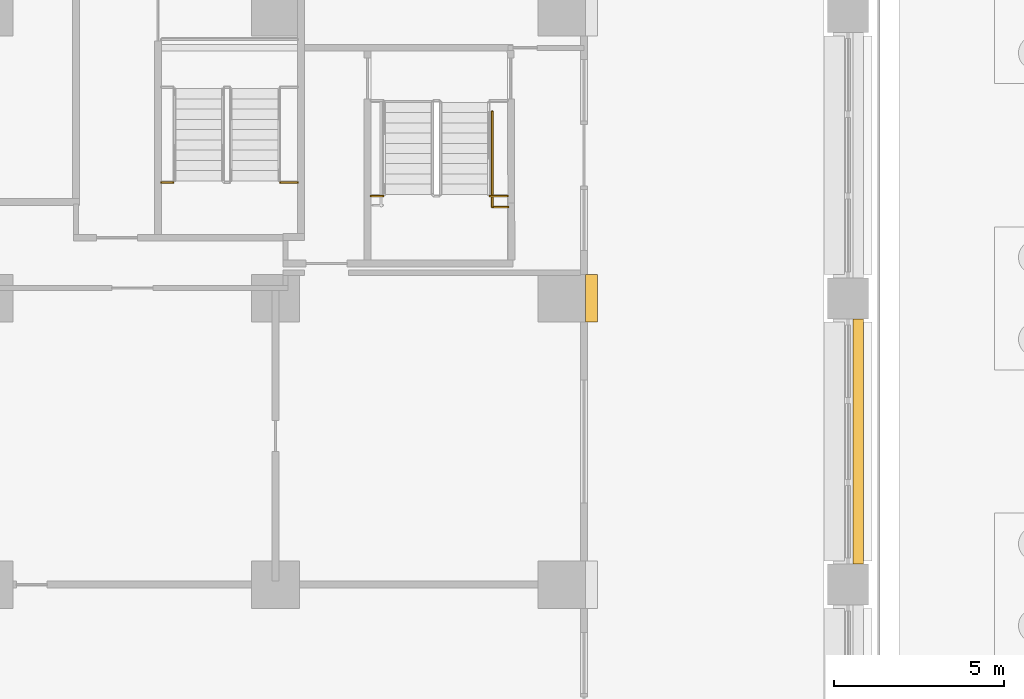
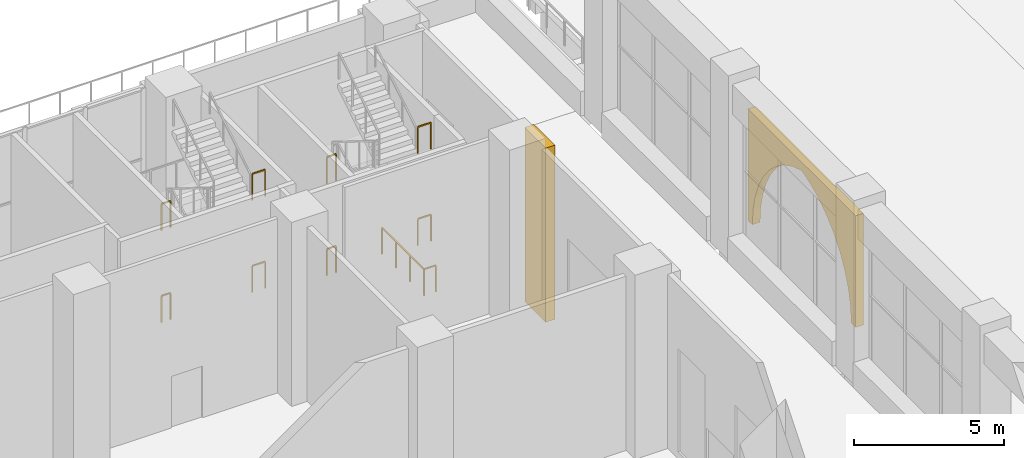
# One storey, part 49 of 53: 9 railings, 2 coverings.
"""IFC4 building model written with IfcOpenShell, lengths in metres."""

import ifcopenshell
import ifcopenshell.guid

model = None  # the IFC model being written
_history = None  # IfcOwnerHistory: only IFC2X3 demands one
_inside = {}  # id of a spatial element -> (the spatial element, [elements in it])
_under = {}  # id of a project, library or spatial element -> (it, [spatial elements below it])
_declared = {}  # id of a project -> (the project, [libraries it declares])
_typed = {}  # id of a type object -> (the type object, [elements of that type])
_made_of = {}  # id of a material, layer set ... -> (it, [elements and type objects made of it])


def new_model(schema):
    """Start an empty IFC model of exactly this schema.

    Asked for "IFC4X3", IfcOpenShell would pick the latest addendum, in which some entities
    have other attributes; the version numbers below select the first issue.
    IFC2X3 requires an IfcOwnerHistory on every rooted entity: one is made here for all.
    """
    global model, _history
    if schema == "IFC4X3":
        model = ifcopenshell.file(schema_version=(4, 3, 0, 0))
    else:
        model = ifcopenshell.file(schema=schema)
    _inside.clear()
    _under.clear()
    _declared.clear()
    _typed.clear()
    _made_of.clear()
    _history = None
    if model.schema == "IFC2X3":
        org = make("IfcOrganization", Name="unknown")
        user = make(
            "IfcPersonAndOrganization",
            ThePerson=make("IfcPerson", FamilyName="unknown"),
            TheOrganization=org,
        )
        app = make(
            "IfcApplication",
            ApplicationDeveloper=org,
            Version="unknown",
            ApplicationFullName="unknown",
            ApplicationIdentifier="unknown",
        )
        _history = make(
            "IfcOwnerHistory",
            OwningUser=user,
            OwningApplication=app,
            ChangeAction="ADDED",
            CreationDate=0,
        )
    return model


def make(cls, **values):
    """One entity of the class cls with the attributes given. An attribute that is None is left unset."""
    return model.create_entity(
        cls, **{name: value for name, value in values.items() if value is not None}
    )


def rooted(cls, **values):
    """An entity with a GlobalId (a new one), such as an element, a storey or a relation."""
    return make(cls, GlobalId=ifcopenshell.guid.new(), OwnerHistory=_history, **values)


def si_unit(unit_type, name, prefix=None):
    """IfcSIUnit, for example si_unit("LENGTHUNIT", "METRE", prefix="MILLI")."""
    return make("IfcSIUnit", UnitType=unit_type, Prefix=prefix, Name=name)


def assignment(units):
    """IfcUnitAssignment: the units of a project."""
    return None if units is None else make("IfcUnitAssignment", Units=units)


def point(xyz):
    """IfcCartesianPoint."""
    return None if xyz is None else make("IfcCartesianPoint", Coordinates=xyz)


def direction(xyz):
    """IfcDirection."""
    return None if xyz is None else make("IfcDirection", DirectionRatios=xyz)


def frame(location, z_axis=None, x_axis=None):
    """IfcAxis2Placement3D, a coordinate frame: its origin and axes. An axis left out is left unset."""
    return make(
        "IfcAxis2Placement3D",
        Location=point(location),
        Axis=direction(z_axis),
        RefDirection=direction(x_axis),
    )


def frame_2d(location, x_axis=None):
    """IfcAxis2Placement2D, a coordinate frame in the plane: its origin and x axis."""
    return make(
        "IfcAxis2Placement2D", Location=point(location), RefDirection=direction(x_axis)
    )


def origin():
    """The frame at (0, 0, 0) with its axes left unset."""
    return frame((0.0, 0.0, 0.0))


def origin_2d():
    """The frame at (0, 0) in the plane with its x axis left unset."""
    return frame_2d((0.0, 0.0))


def place(relative_to, where):
    """IfcLocalPlacement: puts the frame where relative to a parent placement (None: the world)."""
    return make(
        "IfcLocalPlacement", PlacementRelTo=relative_to, RelativePlacement=where
    )


def context(
    kind, dimensions, precision=None, world=None, true_north=None, identifier=None
):
    """IfcGeometricRepresentationContext, for example the 3D "Model" context."""
    return make(
        "IfcGeometricRepresentationContext",
        ContextIdentifier=identifier,
        ContextType=kind,
        CoordinateSpaceDimension=dimensions,
        Precision=precision,
        WorldCoordinateSystem=world,
        TrueNorth=true_north,
    )


def subcontext(parent, identifier, kind, view, scale=None):
    """IfcGeometricRepresentationSubContext, for example "Body" below "Model"."""
    return make(
        "IfcGeometricRepresentationSubContext",
        ContextIdentifier=identifier,
        ContextType=kind,
        ParentContext=parent,
        TargetScale=scale,
        TargetView=view,
    )


def project(units=None, contexts=None):
    """IfcProject with its units and contexts."""
    return rooted(
        "IfcProject",
        Name="project",
        RepresentationContexts=contexts,
        UnitsInContext=assignment(units),
    )


def spatial(cls, under=None, at=None, **own):
    """A site, building, storey or space (cls), placed at a placement, below another one or the project."""
    s = rooted(cls, ObjectPlacement=at, **own)
    if under is not None:
        _under.setdefault(under.id(), (under, []))[1].append(s)
    return s


def polyline(points):
    """IfcPolyline through the points."""
    return make("IfcPolyline", Points=[point(p) for p in points])


def profile(cls, at=None, kind="AREA", **sizes):
    """A parametric profile (cls). Its sizes go by their IFC names, for example OverallWidth=200.0."""
    return make(cls, ProfileType=kind, Position=at, **sizes)


def rectangle(**sizes):
    """IfcRectangleProfileDef."""
    return profile("IfcRectangleProfileDef", **sizes)


def outline(outer, holes=None, kind="AREA"):
    """IfcArbitraryClosedProfileDef: a profile drawn as a closed curve; with holes, ...WithVoids."""
    if holes is None:
        return make("IfcArbitraryClosedProfileDef", ProfileType=kind, OuterCurve=outer)
    return make(
        "IfcArbitraryProfileDefWithVoids",
        ProfileType=kind,
        OuterCurve=outer,
        InnerCurves=holes,
    )


def extrude(swept, where, along, depth):
    """IfcExtrudedAreaSolid: the profile swept, set in the frame where, extruded along a direction by depth."""
    return make(
        "IfcExtrudedAreaSolid",
        SweptArea=swept,
        Position=where,
        ExtrudedDirection=direction(along),
        Depth=depth,
    )


def shape(context_of_items, identifier, shape_type, items):
    """IfcShapeRepresentation: the items that make up one representation, for example the "Body"."""
    return make(
        "IfcShapeRepresentation",
        ContextOfItems=context_of_items,
        RepresentationIdentifier=identifier,
        RepresentationType=shape_type,
        Items=items,
    )


def material(Name=None, Category=None):
    """IfcMaterial."""
    return make("IfcMaterial", Name=Name, Category=Category)


def made_of(thing, what):
    """Note that an element or type object is made of a material, layer set ...; save() writes the relation."""
    if what is not None:
        _made_of.setdefault(what.id(), (what, []))[1].append(thing)
    return thing


def type_object(cls, material=None, **own):
    """A type object (cls), such as IfcWallType, which elements share."""
    return made_of(rooted(cls, **own), material)


def element(
    cls,
    number,
    at=None,
    inside=None,
    cuts=None,
    type_object=None,
    material=None,
    context=None,
    identifier="Body",
    shape_type=None,
    held_by="IfcProductDefinitionShape",
    body=None,
    shapes=None,
    **own,
):
    """One element of the class cls, such as IfcWall. Its Tag is "e" and its number.

    at: its placement. inside: the storey or other place that contains it. cuts: it is an
    opening in that element (IfcRelVoidsElement). A single representation is given by context,
    identifier, shape_type and body (its items); several are given by shapes. held_by: the class
    of the entity that holds the representations. save() writes the other relations.
    """
    e = rooted(cls, Tag="e%d" % number, ObjectPlacement=at, **own)
    if body is not None:
        shapes = [shape(context, identifier, shape_type, body)]
    if shapes is not None:
        e.Representation = make(held_by, Representations=shapes)
    if inside is not None:
        _inside.setdefault(inside.id(), (inside, []))[1].append(e)
    if cuts is not None:
        rooted(
            "IfcRelVoidsElement", RelatingBuildingElement=cuts, RelatedOpeningElement=e
        )
    if type_object is not None:
        _typed.setdefault(type_object.id(), (type_object, []))[1].append(e)
    return made_of(e, material)


def aggregate(whole, parts):
    """IfcRelAggregates: a whole, such as a stair, and the parts it consists of."""
    return rooted("IfcRelAggregates", RelatingObject=whole, RelatedObjects=parts)


def save(model, path):
    """Write the relations noted so far, then the file.

    IfcRelAggregates (storeys below a building ...), IfcRelContainedInSpatialStructure (elements
    in a storey), IfcRelDefinesByType, IfcRelAssociatesMaterial and IfcRelDeclares: one each for
    every whole, place, type object, material and project.
    """
    for whole, parts in _under.values():
        aggregate(whole, parts)
    for where, things in _inside.values():
        rooted(
            "IfcRelContainedInSpatialStructure",
            RelatedElements=things,
            RelatingStructure=where,
        )
    for kind, things in _typed.values():
        rooted("IfcRelDefinesByType", RelatedObjects=things, RelatingType=kind)
    for what, things in _made_of.values():
        rooted("IfcRelAssociatesMaterial", RelatedObjects=things, RelatingMaterial=what)
    for by, libraries in _declared.values():
        rooted("IfcRelDeclares", RelatingContext=by, RelatedDefinitions=libraries)
    model.write(path)


model = new_model("IFC4")

# Units and contexts
model_context = context("Model", 3, precision=1e-05, world=origin(), true_north=direction((0.0, 1.0)))
body_context = subcontext(model_context, "Body", "Model", "MODEL_VIEW")
ifc_project = project(units=[si_unit("LENGTHUNIT", "METRE"), si_unit("AREAUNIT", "SQUARE_METRE"), si_unit("VOLUMEUNIT", "CUBIC_METRE"), si_unit("PLANEANGLEUNIT", "RADIAN"), si_unit("MASSUNIT", "GRAM", prefix="KILO")], contexts=[model_context])

# Site, building, storey
site_placement = place(None, origin())
site = spatial("IfcSite", under=ifc_project, at=site_placement, CompositionType="ELEMENT")
building_placement = place(site_placement, origin())
building = spatial("IfcBuilding", under=site, at=building_placement, Name="Vermilion Ogive Tower", CompositionType="ELEMENT")
storey_placement = place(building_placement, origin())
storey = spatial("IfcBuildingStorey", under=building, at=storey_placement, Name="L00", CompositionType="ELEMENT", Elevation=0.0)

# Covering
ifc_material_1 = material(Name="Stone cladding", Category="masonry")
covering_type_1 = type_object("IfcCoveringType", Name="Arcade ogive head", PredefinedType="CLADDING", material=ifc_material_1)
covering_1_placement = place(storey_placement, frame((58.949951171875, 16.800048828125, 5.89990234375), z_axis=(1.0, 0.0, 0.0), x_axis=(0.0, 1.0, 0.0)))
element("IfcCovering", 1, at=covering_1_placement, inside=storey, type_object=covering_type_1, Name="Arcade stone head L00 6", PredefinedType="CLADDING", context=body_context, shape_type="SweptSolid", body=[
    extrude(outline(polyline([(-3.300048828125, -4.550048828125), (-3.252685546875, -3.91259765625), (-3.112060546875, -3.2890625), (-2.880859375, -2.693115234375), (-2.564453125, -2.137939453125), (-2.169677734375, -1.63525390625), (-1.704833984375, -1.196533203125), (-1.1806640625, -0.830810546875), (-0.608154296875, -0.546630859375), (0.0, -0.35009765625), (0.608154296875, -0.546630859375), (1.1806640625, -0.830810546875), (1.704833984375, -1.196533203125), (2.169677734375, -1.63525390625), (2.564453125, -2.137939453125), (2.880859375, -2.693115234375), (3.112060546875, -3.2890625), (3.252685546875, -3.91259765625), (3.300048828125, -4.550048828125), (3.60009765625, -4.550048828125), (3.60009765625, 0.0), (-3.60009765625, 0.0), (-3.60009765625, -4.550048828125), (-3.300048828125, -4.550048828125)])), origin(), (0.0, 0.0, 1.0), 0.300048828125),
])

# Railings
ifc_material_2 = material(Name="Steel S355 painted", Category="steel")
railing_type = type_object("IfcRailingType", Name="Stair guard 1100", PredefinedType="GUARDRAIL", material=ifc_material_2)
railing_1_placement = place(storey_placement, frame((38.650146484375, 24.39990234375, 1.875)))
element("IfcRailing", 2, at=railing_1_placement, inside=storey, type_object=railing_type, Name="L00 landing guard", PredefinedType="GUARDRAIL", context=body_context, shape_type="SweptSolid", body=[
    extrude(rectangle(XDim=0.048095703125, YDim=0.048095703125, at=origin_2d()), frame((0.0, 0.0, 1.076171875), z_axis=(1.0, 0.0, 0.0), x_axis=(0.0, 1.0, 0.0)), (0.0, 0.0, 1.0), 0.349853515625),
    extrude(rectangle(XDim=0.0419921875, YDim=0.0419921875, at=origin_2d()), origin(), (0.0, 0.0, 1.0), 1.052001953125),
    extrude(rectangle(XDim=0.0419921875, YDim=0.0419921875, at=origin_2d()), frame((0.349853515625, 0.0, 0.0)), (0.0, 0.0, 1.0), 1.052001953125),
])
railing_2_placement = place(storey_placement, frame((42.14990234375, 24.39990234375, 1.875)))
element("IfcRailing", 3, at=railing_2_placement, inside=storey, type_object=railing_type, Name="L00 landing guard", PredefinedType="GUARDRAIL", context=body_context, shape_type="SweptSolid", body=[
    extrude(rectangle(XDim=0.048095703125, YDim=0.048095703125, at=origin_2d()), frame((0.0, 0.0, 1.076171875), z_axis=(1.0, 0.0, 0.0), x_axis=(0.0, 1.0, 0.0)), (0.0, 0.0, 1.0), 0.5),
    extrude(rectangle(XDim=0.0419921875, YDim=0.0419921875, at=origin_2d()), origin(), (0.0, 0.0, 1.0), 1.052001953125),
    extrude(rectangle(XDim=0.0419921875, YDim=0.0419921875, at=origin_2d()), frame((0.5, 0.0, 0.0)), (0.0, 0.0, 1.0), 1.052001953125),
])
railing_3_placement = place(storey_placement, frame((38.650146484375, 24.39990234375, 5.625)))
element("IfcRailing", 4, at=railing_3_placement, inside=storey, type_object=railing_type, Name="L00 landing guard", PredefinedType="GUARDRAIL", context=body_context, shape_type="SweptSolid", body=[
    extrude(rectangle(XDim=0.048095703125, YDim=0.048095703125, at=origin_2d()), frame((0.0, 0.0, 1.076171875), z_axis=(1.0, 0.0, 0.0), x_axis=(0.0, 1.0, 0.0)), (0.0, 0.0, 1.0), 0.349853515625),
    extrude(rectangle(XDim=0.0419921875, YDim=0.0419921875, at=origin_2d()), origin(), (0.0, 0.0, 1.0), 1.052001953125),
    extrude(rectangle(XDim=0.0419921875, YDim=0.0419921875, at=origin_2d()), frame((0.349853515625, 0.0, 0.0)), (0.0, 0.0, 1.0), 1.052001953125),
])
railing_4_placement = place(storey_placement, frame((42.14990234375, 24.39990234375, 5.625)))
element("IfcRailing", 5, at=railing_4_placement, inside=storey, type_object=railing_type, Name="L00 landing guard", PredefinedType="GUARDRAIL", context=body_context, shape_type="SweptSolid", body=[
    extrude(rectangle(XDim=0.048095703125, YDim=0.048095703125, at=origin_2d()), frame((0.0, 0.0, 1.076171875), z_axis=(1.0, 0.0, 0.0), x_axis=(0.0, 1.0, 0.0)), (0.0, 0.0, 1.0), 0.5),
    extrude(rectangle(XDim=0.0419921875, YDim=0.0419921875, at=origin_2d()), origin(), (0.0, 0.0, 1.0), 1.052001953125),
    extrude(rectangle(XDim=0.0419921875, YDim=0.0419921875, at=origin_2d()), frame((0.5, 0.0, 0.0)), (0.0, 0.0, 1.0), 1.052001953125),
])
railing_5_placement = place(storey_placement, frame((44.800048828125, 24.0, 1.875)))
element("IfcRailing", 6, at=railing_5_placement, inside=storey, type_object=railing_type, Name="L00 landing guard", PredefinedType="GUARDRAIL", context=body_context, shape_type="SweptSolid", body=[
    extrude(rectangle(XDim=0.048095703125, YDim=0.048095703125, at=origin_2d()), frame((0.0, 0.0, 1.076171875), z_axis=(1.0, 0.0, 0.0), x_axis=(0.0, 1.0, 0.0)), (0.0, 0.0, 1.0), 0.349853515625),
    extrude(rectangle(XDim=0.0419921875, YDim=0.0419921875, at=origin_2d()), origin(), (0.0, 0.0, 1.0), 1.052001953125),
    extrude(rectangle(XDim=0.0419921875, YDim=0.0419921875, at=origin_2d()), frame((0.349853515625, 0.0, 0.0)), (0.0, 0.0, 1.0), 1.052001953125),
])
railing_6_placement = place(storey_placement, frame((48.300048828125, 24.0, 1.875)))
element("IfcRailing", 7, at=railing_6_placement, inside=storey, type_object=railing_type, Name="L00 landing guard", PredefinedType="GUARDRAIL", context=body_context, shape_type="SweptSolid", body=[
    extrude(rectangle(XDim=0.048095703125, YDim=0.048095703125, at=origin_2d()), frame((0.0, 0.0, 1.076171875), z_axis=(1.0, 0.0, 0.0), x_axis=(0.0, 1.0, 0.0)), (0.0, 0.0, 1.0), 0.512451171875),
    extrude(rectangle(XDim=0.0419921875, YDim=0.0419921875, at=origin_2d()), origin(), (0.0, 0.0, 1.0), 1.052001953125),
    extrude(rectangle(XDim=0.0419921875, YDim=0.0419921875, at=origin_2d()), frame((0.512451171875, 0.0, 0.0)), (0.0, 0.0, 1.0), 1.052001953125),
])
railing_7_placement = place(storey_placement, frame((44.800048828125, 24.0, 5.625)))
element("IfcRailing", 8, at=railing_7_placement, inside=storey, type_object=railing_type, Name="L00 landing guard", PredefinedType="GUARDRAIL", context=body_context, shape_type="SweptSolid", body=[
    extrude(rectangle(XDim=0.048095703125, YDim=0.048095703125, at=origin_2d()), frame((0.0, 0.0, 1.076171875), z_axis=(1.0, 0.0, 0.0), x_axis=(0.0, 1.0, 0.0)), (0.0, 0.0, 1.0), 0.349853515625),
    extrude(rectangle(XDim=0.0419921875, YDim=0.0419921875, at=origin_2d()), origin(), (0.0, 0.0, 1.0), 1.052001953125),
    extrude(rectangle(XDim=0.0419921875, YDim=0.0419921875, at=origin_2d()), frame((0.349853515625, 0.0, 0.0)), (0.0, 0.0, 1.0), 1.052001953125),
])
railing_8_placement = place(storey_placement, frame((48.300048828125, 24.0, 5.625)))
element("IfcRailing", 9, at=railing_8_placement, inside=storey, type_object=railing_type, Name="L00 landing guard", PredefinedType="GUARDRAIL", context=body_context, shape_type="SweptSolid", body=[
    extrude(rectangle(XDim=0.048095703125, YDim=0.048095703125, at=origin_2d()), frame((0.0, 0.0, 1.076171875), z_axis=(1.0, 0.0, 0.0), x_axis=(0.0, 1.0, 0.0)), (0.0, 0.0, 1.0), 0.512451171875),
    extrude(rectangle(XDim=0.0419921875, YDim=0.0419921875, at=origin_2d()), origin(), (0.0, 0.0, 1.0), 1.052001953125),
    extrude(rectangle(XDim=0.0419921875, YDim=0.0419921875, at=origin_2d()), frame((0.512451171875, 0.0, 0.0)), (0.0, 0.0, 1.0), 1.052001953125),
])
railing_9_placement = place(storey_placement, frame((48.359375, 26.484130859375, 0.0)))
element("IfcRailing", 10, at=railing_9_placement, inside=storey, type_object=railing_type, Name="L00 stair opening guard", PredefinedType="GUARDRAIL", context=body_context, shape_type="SweptSolid", body=[
    extrude(rectangle(XDim=0.048095703125, YDim=0.048095703125, at=origin_2d()), frame((0.0, 0.0, 1.076171875), z_axis=(0.0, -1.0, 0.0), x_axis=(1.0, 0.0, 0.0)), (0.0, 0.0, 1.0), 2.804443359375),
    extrude(rectangle(XDim=0.048095703125, YDim=0.048095703125, at=origin_2d()), frame((0.0, -2.804443359375, 1.076171875), z_axis=(1.0, 0.0, 0.0), x_axis=(0.0, 1.0, 0.0)), (0.0, 0.0, 1.0), 0.45849609375),
    extrude(rectangle(XDim=0.0419921875, YDim=0.0419921875, at=origin_2d()), origin(), (0.0, 0.0, 1.0), 1.052001953125),
    extrude(rectangle(XDim=0.0419921875, YDim=0.0419921875, at=origin_2d()), frame((0.0, -0.934814453125, 0.0)), (0.0, 0.0, 1.0), 1.052001953125),
    extrude(rectangle(XDim=0.0419921875, YDim=0.0419921875, at=origin_2d()), frame((0.0, -1.86962890625, 0.0)), (0.0, 0.0, 1.0), 1.052001953125),
    extrude(rectangle(XDim=0.0419921875, YDim=0.0419921875, at=origin_2d()), frame((0.0, -2.804443359375, 0.0)), (0.0, 0.0, 1.0), 1.052001953125),
    extrude(rectangle(XDim=0.0419921875, YDim=0.0419921875, at=origin_2d()), frame((0.45849609375, -2.804443359375, 0.0)), (0.0, 0.0, 1.0), 1.052001953125),
])

# Covering
ifc_material_3 = material(Name="Stone cladding", Category="masonry")
covering_type_2 = type_object("IfcCoveringType", Name="Stone pier", PredefinedType="CLADDING", material=ifc_material_3)
covering_2_placement = place(storey_placement, origin())
element("IfcCovering", 11, at=covering_2_placement, inside=storey, type_object=covering_type_2, Name="Stone pier P+504+210", PredefinedType="CLADDING", context=body_context, shape_type="SweptSolid", body=[
    extrude(outline(polyline([(51.10009765625, 21.699951171875), (51.10009765625, 21.699951171875), (51.449951171875, 21.699951171875), (51.449951171875, 20.300048828125), (51.10009765625, 20.300048828125), (51.10009765625, 20.300048828125), (51.10009765625, 21.699951171875)])), origin(), (0.0, 0.0, 1.0), 7.10009765625),
])

save(model, "model.ifc")
